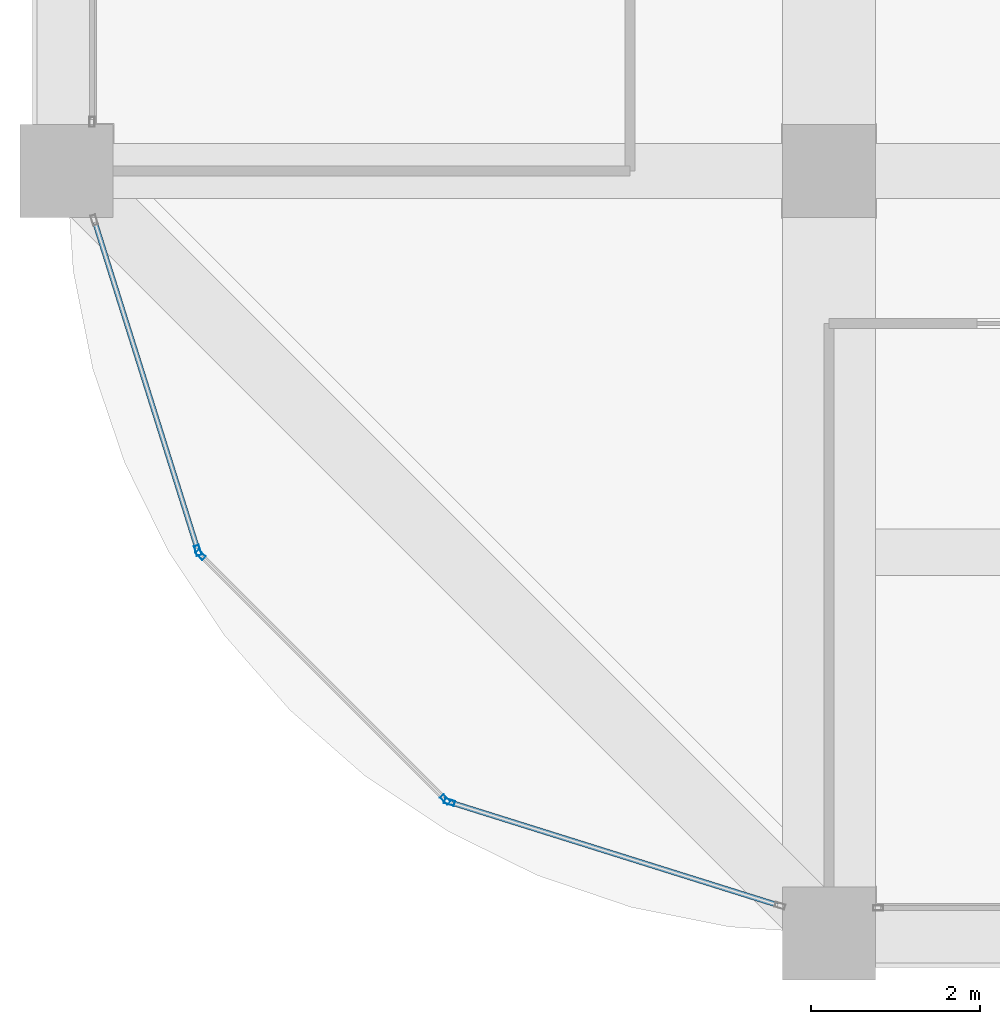
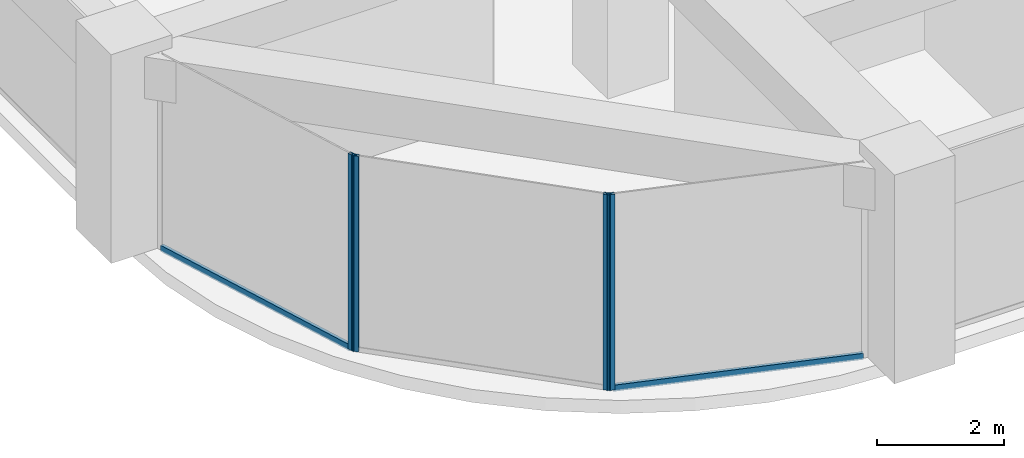
# One storey, part 2 of 44: 6 members, 3 elements without a shape of their own.
"""IFC4 building model written with IfcOpenShell, lengths in metres."""

from ifc_helpers import new_model, si_unit, direction, frame, origin, origin_2d, place, context, subcontext, project, spatial, hollow_rectangle, extrude, material, material_profile, profile_set, type_object, element, aggregate, save


model = new_model("IFC4")

# Units and contexts
model_context = context("Model", 3, precision=1e-05, world=origin(), true_north=direction((0.0, 1.0)))
body_context = subcontext(model_context, "Body", "Model", "MODEL_VIEW")
ifc_project = project(units=[si_unit("LENGTHUNIT", "METRE"), si_unit("AREAUNIT", "SQUARE_METRE"), si_unit("VOLUMEUNIT", "CUBIC_METRE"), si_unit("PLANEANGLEUNIT", "RADIAN"), si_unit("MASSUNIT", "GRAM", prefix="KILO")], contexts=[model_context])

# Site, building, storey
site_placement = place(None, origin())
site = spatial("IfcSite", under=ifc_project, at=site_placement, CompositionType="ELEMENT")
building_placement = place(site_placement, origin())
building = spatial("IfcBuilding", under=site, at=building_placement, Name="Zorevar Civic Tower", CompositionType="ELEMENT")
storey_placement = place(building_placement, frame((0.0, 0.0, 283.39990234375)))
storey = spatial("IfcBuildingStorey", under=building, at=storey_placement, Name="L69", CompositionType="ELEMENT", Elevation=283.39990234375)

# Curtain wall, member
ifc_material_1 = material(Name="Dark grey solar-control glass in black aluminium frame", Category="aluminium")
curtain_wall_type = type_object("IfcCurtainWallType", Name="Curtain wall CW5 top zone", PredefinedType="NOTDEFINED", material=ifc_material_1)
curtain_wall_1_placement = place(storey_placement, origin())
curtain_wall_1 = element("IfcCurtainWall", 1, at=curtain_wall_1_placement, inside=storey, type_object=curtain_wall_type, Name="CW5 L69", PredefinedType="NOTDEFINED")
ifc_material_2 = material(Name="Aluminium, black anodised", Category="aluminium")
ifc_material_profile_1 = material_profile(ifc_material_2, hollow_rectangle(XDim=0.06005859375, YDim=0.1201171875, WallThickness=0.0029296875, at=origin_2d()), Name="AL 120x60x3")
ifc_profile_set_1 = profile_set([ifc_material_profile_1], Name="Aluminium, black anodised")
member_type_1 = type_object("IfcMemberType", Name="CW5 mullion AL 120x60x3", PredefinedType="MULLION", material=ifc_profile_set_1)
member_1_placement = place(storey_placement, frame((10.550048828125, 4.520751953125, 0.0), z_axis=(0.0, 0.0, 1.0), x_axis=(0.954153437674, 0.299317920238, 0.0)))
member_1 = element("IfcMember", 2, at=member_1_placement, type_object=member_type_1, Name="CW5 mullion 2", PredefinedType="MULLION", context=body_context, shape_type="SweptSolid", body=[
    extrude(hollow_rectangle(XDim=0.06005859375, YDim=0.1201171875, WallThickness=0.0029296875, at=origin_2d()), origin(), (0.0, 0.0, 1.0), 3.75),
])

# Curtain wall, members
curtain_wall_2_placement = place(storey_placement, origin())
curtain_wall_2 = element("IfcCurtainWall", 3, at=curtain_wall_2_placement, inside=storey, type_object=curtain_wall_type, Name="CW5 L69", PredefinedType="NOTDEFINED")
member_2_placement = place(storey_placement, frame((10.580322265625, 4.470947265625, 0.0), z_axis=(0.0, 0.0, 1.0), x_axis=(0.707106781187, 0.707106781187, 0.0)))
member_2 = element("IfcMember", 4, at=member_2_placement, type_object=member_type_1, Name="CW5 mullion 1", PredefinedType="MULLION", context=body_context, shape_type="SweptSolid", body=[
    extrude(hollow_rectangle(XDim=0.06005859375, YDim=0.1201171875, WallThickness=0.0029296875, at=origin_2d()), origin(), (0.0, 0.0, 1.0), 3.75),
])
member_3_placement = place(storey_placement, frame((13.470947265625, 1.580322265625, 0.0), z_axis=(0.0, 0.0, 1.0), x_axis=(0.707106781187, 0.707106781187, 0.0)))
member_3 = element("IfcMember", 5, at=member_3_placement, type_object=member_type_1, Name="CW5 mullion 2", PredefinedType="MULLION", context=body_context, shape_type="SweptSolid", body=[
    extrude(hollow_rectangle(XDim=0.06005859375, YDim=0.1201171875, WallThickness=0.0029296875, at=origin_2d()), origin(), (0.0, 0.0, 1.0), 3.75),
])
aggregate(curtain_wall_2, [member_2, member_3])

# Curtain wall, member
curtain_wall_3_placement = place(storey_placement, origin())
curtain_wall_3 = element("IfcCurtainWall", 6, at=curtain_wall_3_placement, inside=storey, type_object=curtain_wall_type, Name="CW5 L69", PredefinedType="NOTDEFINED")
member_4_placement = place(storey_placement, frame((13.520751953125, 1.550048828125, 0.0), z_axis=(0.0, 0.0, 1.0), x_axis=(0.299317920238, 0.954153437674, 0.0)))
member_4 = element("IfcMember", 7, at=member_4_placement, type_object=member_type_1, Name="CW5 mullion 1", PredefinedType="MULLION", context=body_context, shape_type="SweptSolid", body=[
    extrude(hollow_rectangle(XDim=0.06005859375, YDim=0.1201171875, WallThickness=0.0029296875, at=origin_2d()), origin(), (0.0, 0.0, 1.0), 3.75),
])

# Member
ifc_material_3 = material(Name="Aluminium, black anodised", Category="aluminium")
ifc_material_profile_2 = material_profile(ifc_material_3, hollow_rectangle(XDim=0.06005859375, YDim=0.1201171875, WallThickness=0.0029296875, at=origin_2d()), Name="AL 120x60x3")
ifc_profile_set_2 = profile_set([ifc_material_profile_2], Name="Aluminium, black anodised")
member_type_2 = type_object("IfcMemberType", Name="CW5 transom AL 120x60x3", PredefinedType="USERDEFINED", material=ifc_profile_set_2)
member_5_placement = place(storey_placement, frame((9.33544921875, 8.392822265625, 0.030029296875), z_axis=(0.299285978047, -0.954163457351, 0.0), x_axis=(0.954163457351, 0.299285978047, 0.0)))
member_5 = element("IfcMember", 8, at=member_5_placement, type_object=member_type_2, Name="CW5 sill transom", ObjectType="TRANSOM", PredefinedType="USERDEFINED", context=body_context, shape_type="SweptSolid", body=[
    extrude(hollow_rectangle(XDim=0.06005859375, YDim=0.1201171875, WallThickness=0.0029296875, at=origin_2d()), origin(), (0.0, 0.0, 1.0), 4.028076171875),
])

aggregate(curtain_wall_1, [member_1, member_5])

member_6_placement = place(storey_placement, frame((13.54931640625, 1.541015625, 0.030029296875), z_axis=(0.954163457351, -0.299285978047, 0.0), x_axis=(0.299285978047, 0.954163457351, 0.0)))
member_6 = element("IfcMember", 9, at=member_6_placement, type_object=member_type_2, Name="CW5 sill transom", ObjectType="TRANSOM", PredefinedType="USERDEFINED", context=body_context, shape_type="SweptSolid", body=[
    extrude(hollow_rectangle(XDim=0.06005859375, YDim=0.1201171875, WallThickness=0.0029296875, at=origin_2d()), origin(), (0.0, 0.0, 1.0), 4.028076171875),
])

aggregate(curtain_wall_3, [member_4, member_6])

save(model, "model.ifc")
